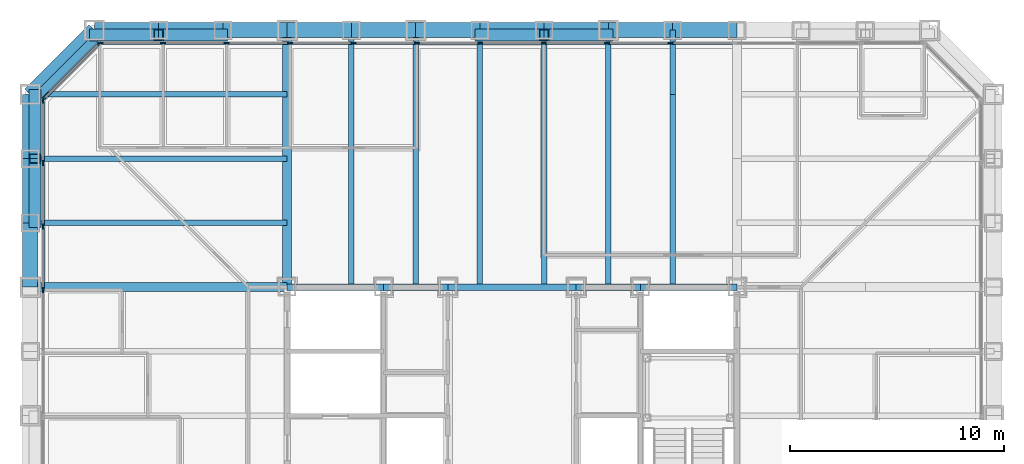
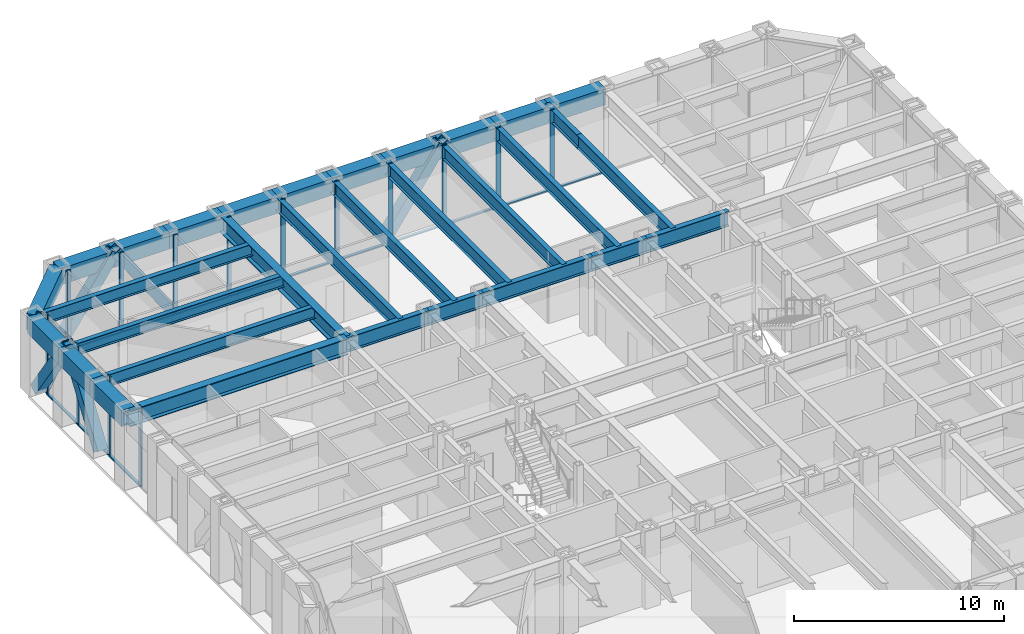
# One storey, part 5 of 17: 37 members, 31 beams, 3 elements without a shape of their own.
"""IFC4 building model written with IfcOpenShell, lengths in metres."""

from ifc_helpers import new_model, si_unit, direction, frame, origin, origin_2d, place, context, subcontext, project, spatial, rectangle, hollow_rectangle, i_section, extrude, material, layer, layer_set, material_profile, profile_set, type_object, element, aggregate, save


model = new_model("IFC4")

# Units and contexts
model_context = context("Model", 3, precision=1e-05, world=origin(), true_north=direction((0.0, 1.0)))
body_context = subcontext(model_context, "Body", "Model", "MODEL_VIEW")
ifc_project = project(units=[si_unit("LENGTHUNIT", "METRE"), si_unit("AREAUNIT", "SQUARE_METRE"), si_unit("VOLUMEUNIT", "CUBIC_METRE"), si_unit("PLANEANGLEUNIT", "RADIAN"), si_unit("MASSUNIT", "GRAM", prefix="KILO")], contexts=[model_context])

# Site, building, storey
site_placement = place(None, origin())
site = spatial("IfcSite", under=ifc_project, at=site_placement, CompositionType="ELEMENT")
building_placement = place(site_placement, origin())
building = spatial("IfcBuilding", under=site, at=building_placement, Name="Chuquiago Exchange Tower", CompositionType="ELEMENT")
storey_placement = place(building_placement, frame((0.0, 0.0, 91.800048828125)))
storey = spatial("IfcBuildingStorey", under=building, at=storey_placement, Name="L19", CompositionType="ELEMENT", Elevation=91.800048828125)

# Beams
ifc_material_1 = material(Name="Steel ASTM A992", Category="steel")
ifc_material_profile_1 = material_profile(ifc_material_1, i_section(OverallWidth=0.2919921875, OverallDepth=0.8583984375, WebThickness=0.01708984375, FlangeThickness=0.031005859375, at=origin_2d()), Name="W33X169")
ifc_profile_set_1 = profile_set([ifc_material_profile_1], Name="Steel ASTM A992")
beam_type_1 = type_object("IfcBeamType", Name="B3 W33X169", PredefinedType="BEAM", material=ifc_profile_set_1)
beam_1_placement = place(storey_placement, frame((12.0, 33.0, 3.91064453125), z_axis=(1.0, 0.0, 0.0), x_axis=(0.0, 1.0, 0.0)))
element("IfcBeam", 1, at=beam_1_placement, inside=storey, type_object=beam_type_1, Name="CB-L20-12_33-16.5_33", PredefinedType="BEAM", context=body_context, shape_type="SweptSolid", body=[
    extrude(i_section(OverallWidth=0.2919921875, OverallDepth=0.8583984375, WebThickness=0.01708984375, FlangeThickness=0.031005859375, at=origin_2d()), origin(), (0.0, 0.0, 1.0), 4.5),
])
beam_2_placement = place(storey_placement, frame((16.5, 33.0, 3.91064453125), z_axis=(1.0, 0.0, 0.0), x_axis=(0.0, 1.0, 0.0)))
element("IfcBeam", 2, at=beam_2_placement, inside=storey, type_object=beam_type_1, Name="CB-L20-16.5_33-19.5_33", PredefinedType="BEAM", context=body_context, shape_type="SweptSolid", body=[
    extrude(i_section(OverallWidth=0.2919921875, OverallDepth=0.8583984375, WebThickness=0.01708984375, FlangeThickness=0.031005859375, at=origin_2d()), origin(), (0.0, 0.0, 1.0), 3.0),
])
beam_3_placement = place(storey_placement, frame((19.5, 33.0, 3.91064453125), z_axis=(1.0, 0.0, 0.0), x_axis=(0.0, 1.0, 0.0)))
element("IfcBeam", 3, at=beam_3_placement, inside=storey, type_object=beam_type_1, Name="CB-L20-19.5_33-25.5_33", PredefinedType="BEAM", context=body_context, shape_type="SweptSolid", body=[
    extrude(i_section(OverallWidth=0.2919921875, OverallDepth=0.8583984375, WebThickness=0.01708984375, FlangeThickness=0.031005859375, at=origin_2d()), origin(), (0.0, 0.0, 1.0), 6.0),
])
beam_4_placement = place(storey_placement, frame((25.5, 33.0, 3.91064453125), z_axis=(1.0, 0.0, 0.0), x_axis=(0.0, 1.0, 0.0)))
element("IfcBeam", 4, at=beam_4_placement, inside=storey, type_object=beam_type_1, Name="CB-L20-25.5_33-28.5_33", PredefinedType="BEAM", context=body_context, shape_type="SweptSolid", body=[
    extrude(i_section(OverallWidth=0.2919921875, OverallDepth=0.8583984375, WebThickness=0.01708984375, FlangeThickness=0.031005859375, at=origin_2d()), origin(), (0.0, 0.0, 1.0), 3.0),
])
beam_5_placement = place(storey_placement, frame((28.5, 33.0, 3.91064453125), z_axis=(1.0, 0.0, 0.0), x_axis=(0.0, 1.0, 0.0)))
element("IfcBeam", 5, at=beam_5_placement, inside=storey, type_object=beam_type_1, Name="CB-L20-28.5_33-33_33", PredefinedType="BEAM", context=body_context, shape_type="SweptSolid", body=[
    extrude(i_section(OverallWidth=0.2919921875, OverallDepth=0.8583984375, WebThickness=0.01708984375, FlangeThickness=0.031005859375, at=origin_2d()), origin(), (0.0, 0.0, 1.0), 4.5),
])
ifc_material_2 = material(Name="Steel ASTM A992", Category="steel")
ifc_material_profile_2 = material_profile(ifc_material_2, i_section(OverallWidth=0.2666015625, OverallDepth=0.761962890625, WebThickness=0.014404296875, FlangeThickness=0.021484375, at=origin_2d()), Name="W30X116")
ifc_profile_set_2 = profile_set([ifc_material_profile_2], Name="Steel ASTM A992")
beam_type_2 = type_object("IfcBeamType", Name="B8 W30X116", PredefinedType="BEAM", material=ifc_profile_set_2)
for number, where, z_axis, x_axis, name in (
    (6, (15.0, 33.0, 3.958984375), (0.0, 1.0, 0.0), (-1.0, 0.0, 0.0), "FB-L20-infill-15_33-15_45-0"),
    (7, (18.0, 33.0, 3.958984375), (0.0, 1.0, 0.0), (-1.0, 0.0, 0.0), "FB-L20-infill-18_33-18_45-0"),
    (8, (21.0, 33.0, 3.958984375), (0.0, 1.0, 0.0), (-1.0, 0.0, 0.0), "FB-L20-infill-21_33-21_45-0"),
    (9, (24.0, 33.0, 3.958984375), (0.0, 1.0, 0.0), (-1.0, 0.0, 0.0), "FB-L20-infill-24_33-24_45-0"),
    (10, (27.0, 33.0, 3.958984375), (0.0, 1.0, 0.0), (-1.0, 0.0, 0.0), "FB-L20-infill-27_33-27_45-0"),
):
    element("IfcBeam", number, at=place(storey_placement, frame(where, z_axis=z_axis, x_axis=x_axis)), inside=storey, type_object=beam_type_2, Name=name, PredefinedType="BEAM", context=body_context, shape_type="SweptSolid", body=[
        extrude(i_section(OverallWidth=0.2666015625, OverallDepth=0.761962890625, WebThickness=0.014404296875, FlangeThickness=0.021484375, at=origin_2d()), origin(), (0.0, 0.0, 1.0), 12.0),
    ])
beam_6_placement = place(storey_placement, frame((30.0, 33.0, 3.958984375), z_axis=(0.0, 1.0, 0.0), x_axis=(-1.0, 0.0, 0.0)))
element("IfcBeam", 11, at=beam_6_placement, inside=storey, type_object=beam_type_2, Name="FB-L20-infill-30_33-30_45-0", PredefinedType="BEAM", context=body_context, shape_type="SweptSolid", body=[
    extrude(i_section(OverallWidth=0.2666015625, OverallDepth=0.761962890625, WebThickness=0.014404296875, FlangeThickness=0.021484375, at=origin_2d()), origin(), (0.0, 0.0, 1.0), 9.0),
])
beam_7_placement = place(storey_placement, frame((30.0, 42.0, 3.958984375), z_axis=(0.0, 1.0, 0.0), x_axis=(-1.0, 0.0, 0.0)))
element("IfcBeam", 12, at=beam_7_placement, inside=storey, type_object=beam_type_2, Name="FB-L20-infill-30_33-30_45-1", PredefinedType="BEAM", context=body_context, shape_type="SweptSolid", body=[
    extrude(i_section(OverallWidth=0.2666015625, OverallDepth=0.761962890625, WebThickness=0.014404296875, FlangeThickness=0.021484375, at=origin_2d()), origin(), (0.0, 0.0, 1.0), 3.0),
])
ifc_material_3 = material(Name="Steel ASTM A992", Category="steel")
ifc_material_profile_3 = material_profile(ifc_material_3, i_section(OverallWidth=0.256591796875, OverallDepth=0.693359375, WebThickness=0.014404296875, FlangeThickness=0.023681640625, at=origin_2d()), Name="W27X114")
ifc_profile_set_3 = profile_set([ifc_material_profile_3], Name="Steel ASTM A992")
beam_type_3 = type_object("IfcBeamType", Name="B9 W27X114", PredefinedType="BEAM", material=ifc_profile_set_3)
for number, where, z_axis, x_axis, name in (
    (13, (12.0, 36.0, 3.9931640625), (-1.0, 0.0, 0.0), (0.0, -1.0, 0.0), "FB-L20-corner-12_36--0_36-0"),
    (14, (12.0, 39.0, 3.9931640625), (-1.0, 0.0, 0.0), (0.0, -1.0, 0.0), "FB-L20-corner-12_39--0_39-0"),
    (15, (12.0, 42.0, 3.9931640625), (-1.0, 0.0, 0.0), (0.0, -1.0, 0.0), "FB-L20-corner-12_42--0_42-0"),
):
    element("IfcBeam", number, at=place(storey_placement, frame(where, z_axis=z_axis, x_axis=x_axis)), inside=storey, type_object=beam_type_3, Name=name, PredefinedType="BEAM", context=body_context, shape_type="SweptSolid", body=[
        extrude(i_section(OverallWidth=0.256591796875, OverallDepth=0.693359375, WebThickness=0.014404296875, FlangeThickness=0.023681640625, at=origin_2d()), origin(), (0.0, 0.0, 1.0), 12.0),
    ])

# Curtain wall, members
ifc_material_4 = material(Name="Aluminium curtain wall system", Category="aluminium")
ifc_layer_1 = layer(ifc_material_4, 0.25)
ifc_layer_set_1 = layer_set([ifc_layer_1], Name="CW1 trading floor curtain wall")
curtain_wall_type_1 = type_object("IfcCurtainWallType", Name="CW1 trading floor curtain wall", PredefinedType="NOTDEFINED", material=ifc_layer_set_1)
curtain_wall_1_placement = place(storey_placement, origin())
curtain_wall_1 = element("IfcCurtainWall", 16, at=curtain_wall_1_placement, inside=storey, type_object=curtain_wall_type_1, Name="CW1 curtain wall L19", PredefinedType="NOTDEFINED")
ifc_material_5 = material(Name="Aluminium mullion, pale anodised", Category="aluminium")
ifc_material_profile_4 = material_profile(ifc_material_5, rectangle(XDim=0.074951171875, YDim=0.25, at=origin_2d()), Name="AL 75x250")
ifc_profile_set_4 = profile_set([ifc_material_profile_4], Name="Aluminium mullion, pale anodised")
member_type_1 = type_object("IfcMemberType", Name="CW1-M mullion 75x250", PredefinedType="MULLION", material=ifc_profile_set_4)
member_1_placement = place(storey_placement, frame((29.904541015625, 44.39990234375, -0.300048828125), z_axis=(0.0, 0.0, 1.0), x_axis=(0.0, -1.0, 0.0)))
member_1 = element("IfcMember", 17, at=member_1_placement, type_object=member_type_1, Name="CW1 mullion 5", PredefinedType="MULLION", context=body_context, shape_type="SweptSolid", body=[
    extrude(rectangle(XDim=0.074951171875, YDim=0.25, at=origin_2d()), origin(), (0.0, 0.0, 1.0), 4.639892578125),
])
member_2_placement = place(storey_placement, frame((26.942626953125, 44.39990234375, -0.300048828125), z_axis=(0.0, 0.0, 1.0), x_axis=(0.0, -1.0, 0.0)))
member_2 = element("IfcMember", 18, at=member_2_placement, type_object=member_type_1, Name="CW1 mullion 6", PredefinedType="MULLION", context=body_context, shape_type="SweptSolid", body=[
    extrude(rectangle(XDim=0.074951171875, YDim=0.25, at=origin_2d()), origin(), (0.0, 0.0, 1.0), 4.639892578125),
])
member_3_placement = place(storey_placement, frame((23.98095703125, 44.39990234375, -0.300048828125), z_axis=(0.0, 0.0, 1.0), x_axis=(0.0, -1.0, 0.0)))
member_3 = element("IfcMember", 19, at=member_3_placement, type_object=member_type_1, Name="CW1 mullion 7", PredefinedType="MULLION", context=body_context, shape_type="SweptSolid", body=[
    extrude(rectangle(XDim=0.074951171875, YDim=0.25, at=origin_2d()), origin(), (0.0, 0.0, 1.0), 4.639892578125),
])
member_4_placement = place(storey_placement, frame((21.01904296875, 44.39990234375, -0.300048828125), z_axis=(0.0, 0.0, 1.0), x_axis=(0.0, -1.0, 0.0)))
member_4 = element("IfcMember", 20, at=member_4_placement, type_object=member_type_1, Name="CW1 mullion 8", PredefinedType="MULLION", context=body_context, shape_type="SweptSolid", body=[
    extrude(rectangle(XDim=0.074951171875, YDim=0.25, at=origin_2d()), origin(), (0.0, 0.0, 1.0), 4.639892578125),
])
member_5_placement = place(storey_placement, frame((18.057373046875, 44.39990234375, -0.300048828125), z_axis=(0.0, 0.0, 1.0), x_axis=(0.0, -1.0, 0.0)))
member_5 = element("IfcMember", 21, at=member_5_placement, type_object=member_type_1, Name="CW1 mullion 9", PredefinedType="MULLION", context=body_context, shape_type="SweptSolid", body=[
    extrude(rectangle(XDim=0.074951171875, YDim=0.25, at=origin_2d()), origin(), (0.0, 0.0, 1.0), 4.639892578125),
])
member_6_placement = place(storey_placement, frame((15.095458984375, 44.39990234375, -0.300048828125), z_axis=(0.0, 0.0, 1.0), x_axis=(0.0, -1.0, 0.0)))
member_6 = element("IfcMember", 22, at=member_6_placement, type_object=member_type_1, Name="CW1 mullion 10", PredefinedType="MULLION", context=body_context, shape_type="SweptSolid", body=[
    extrude(rectangle(XDim=0.074951171875, YDim=0.25, at=origin_2d()), origin(), (0.0, 0.0, 1.0), 4.639892578125),
])
member_7_placement = place(storey_placement, frame((12.1337890625, 44.39990234375, -0.300048828125), z_axis=(0.0, 0.0, 1.0), x_axis=(0.0, -1.0, 0.0)))
member_7 = element("IfcMember", 23, at=member_7_placement, type_object=member_type_1, Name="CW1 mullion 11", PredefinedType="MULLION", context=body_context, shape_type="SweptSolid", body=[
    extrude(rectangle(XDim=0.074951171875, YDim=0.25, at=origin_2d()), origin(), (0.0, 0.0, 1.0), 4.639892578125),
])
member_8_placement = place(storey_placement, frame((9.172119140625, 44.39990234375, -0.300048828125), z_axis=(0.0, 0.0, 1.0), x_axis=(0.0, -1.0, 0.0)))
member_8 = element("IfcMember", 24, at=member_8_placement, type_object=member_type_1, Name="CW1 mullion 12", PredefinedType="MULLION", context=body_context, shape_type="SweptSolid", body=[
    extrude(rectangle(XDim=0.074951171875, YDim=0.25, at=origin_2d()), origin(), (0.0, 0.0, 1.0), 4.639892578125),
])
member_9_placement = place(storey_placement, frame((6.210205078125, 44.39990234375, -0.300048828125), z_axis=(0.0, 0.0, 1.0), x_axis=(0.0, -1.0, 0.0)))
member_9 = element("IfcMember", 25, at=member_9_placement, type_object=member_type_1, Name="CW1 mullion 13", PredefinedType="MULLION", context=body_context, shape_type="SweptSolid", body=[
    extrude(rectangle(XDim=0.074951171875, YDim=0.25, at=origin_2d()), origin(), (0.0, 0.0, 1.0), 4.639892578125),
])
member_10_placement = place(storey_placement, frame((3.285888671875, 44.39990234375, -0.300048828125), z_axis=(0.0, 0.0, 1.0), x_axis=(0.0, -1.0, 0.0)))
member_10 = element("IfcMember", 26, at=member_10_placement, type_object=member_type_1, Name="CW1 mullion 14", PredefinedType="MULLION", context=body_context, shape_type="SweptSolid", body=[
    extrude(rectangle(XDim=0.074951171875, YDim=0.25, at=origin_2d()), origin(), (0.0, 0.0, 1.0), 4.639892578125),
])

curtain_wall_2_placement = place(storey_placement, origin())
curtain_wall_2 = element("IfcCurtainWall", 27, at=curtain_wall_2_placement, inside=storey, type_object=curtain_wall_type_1, Name="CW1 curtain wall L19", PredefinedType="NOTDEFINED")
member_11_placement = place(storey_placement, frame((0.60009765625, 41.714111328125, -0.300048828125), z_axis=(0.0, 0.0, 1.0), x_axis=(1.0, 0.0, 0.0)))
member_11 = element("IfcMember", 28, at=member_11_placement, type_object=member_type_1, Name="CW1 mullion 1", PredefinedType="MULLION", context=body_context, shape_type="SweptSolid", body=[
    extrude(rectangle(XDim=0.074951171875, YDim=0.25, at=origin_2d()), origin(), (0.0, 0.0, 1.0), 4.639892578125),
])
member_12_placement = place(storey_placement, frame((0.60009765625, 38.789794921875, -0.300048828125), z_axis=(0.0, 0.0, 1.0), x_axis=(1.0, 0.0, 0.0)))
member_12 = element("IfcMember", 29, at=member_12_placement, type_object=member_type_1, Name="CW1 mullion 2", PredefinedType="MULLION", context=body_context, shape_type="SweptSolid", body=[
    extrude(rectangle(XDim=0.074951171875, YDim=0.25, at=origin_2d()), origin(), (0.0, 0.0, 1.0), 4.639892578125),
])
member_13_placement = place(storey_placement, frame((0.60009765625, 35.827880859375, -0.300048828125), z_axis=(0.0, 0.0, 1.0), x_axis=(1.0, 0.0, 0.0)))
member_13 = element("IfcMember", 30, at=member_13_placement, type_object=member_type_1, Name="CW1 mullion 3", PredefinedType="MULLION", context=body_context, shape_type="SweptSolid", body=[
    extrude(rectangle(XDim=0.074951171875, YDim=0.25, at=origin_2d()), origin(), (0.0, 0.0, 1.0), 4.639892578125),
])
member_14_placement = place(storey_placement, frame((0.60009765625, 32.8662109375, -0.300048828125), z_axis=(0.0, 0.0, 1.0), x_axis=(1.0, 0.0, 0.0)))
member_14 = element("IfcMember", 31, at=member_14_placement, type_object=member_type_1, Name="CW1 mullion 4", PredefinedType="MULLION", context=body_context, shape_type="SweptSolid", body=[
    extrude(rectangle(XDim=0.074951171875, YDim=0.25, at=origin_2d()), origin(), (0.0, 0.0, 1.0), 4.639892578125),
])

# Member
ifc_material_6 = material(Name="Aluminium transom, pale anodised", Category="aluminium")
ifc_material_profile_5 = material_profile(ifc_material_6, rectangle(XDim=0.14990234375, YDim=0.074951171875, at=origin_2d()), Name="AL 150x75")
ifc_profile_set_5 = profile_set([ifc_material_profile_5], Name="Aluminium transom, pale anodised")
member_type_2 = type_object("IfcMemberType", Name="CW1-T transom 75x150", PredefinedType="MULLION", material=ifc_profile_set_5)
member_15_placement = place(storey_placement, frame((32.82861328125, 44.39990234375, -0.262451171875), z_axis=(-1.0, 0.0, 0.0), x_axis=(0.0, -1.0, 0.0)))
member_15 = element("IfcMember", 32, at=member_15_placement, type_object=member_type_2, Name="CW1 transom 4.1", PredefinedType="MULLION", context=body_context, shape_type="SweptSolid", body=[
    extrude(rectangle(XDim=0.14990234375, YDim=0.074951171875, at=origin_2d()), origin(), (0.0, 0.0, 1.0), 2.88671875),
])

member_16_placement = place(storey_placement, frame((29.866943359375, 44.39990234375, -0.262451171875), z_axis=(-1.0, 0.0, 0.0), x_axis=(0.0, -1.0, 0.0)))
member_16 = element("IfcMember", 33, at=member_16_placement, type_object=member_type_2, Name="CW1 transom 5.1", PredefinedType="MULLION", context=body_context, shape_type="SweptSolid", body=[
    extrude(rectangle(XDim=0.14990234375, YDim=0.074951171875, at=origin_2d()), origin(), (0.0, 0.0, 1.0), 2.88671875),
])

member_17_placement = place(storey_placement, frame((26.9052734375, 44.39990234375, -0.262451171875), z_axis=(-1.0, 0.0, 0.0), x_axis=(0.0, -1.0, 0.0)))
member_17 = element("IfcMember", 34, at=member_17_placement, type_object=member_type_2, Name="CW1 transom 6.1", PredefinedType="MULLION", context=body_context, shape_type="SweptSolid", body=[
    extrude(rectangle(XDim=0.14990234375, YDim=0.074951171875, at=origin_2d()), origin(), (0.0, 0.0, 1.0), 2.886962890625),
])

member_18_placement = place(storey_placement, frame((23.943359375, 44.39990234375, -0.262451171875), z_axis=(-1.0, 0.0, 0.0), x_axis=(0.0, -1.0, 0.0)))
member_18 = element("IfcMember", 35, at=member_18_placement, type_object=member_type_2, Name="CW1 transom 7.1", PredefinedType="MULLION", context=body_context, shape_type="SweptSolid", body=[
    extrude(rectangle(XDim=0.14990234375, YDim=0.074951171875, at=origin_2d()), origin(), (0.0, 0.0, 1.0), 2.88671875),
])

member_19_placement = place(storey_placement, frame((20.981689453125, 44.39990234375, -0.262451171875), z_axis=(-1.0, 0.0, 0.0), x_axis=(0.0, -1.0, 0.0)))
member_19 = element("IfcMember", 36, at=member_19_placement, type_object=member_type_2, Name="CW1 transom 8.1", PredefinedType="MULLION", context=body_context, shape_type="SweptSolid", body=[
    extrude(rectangle(XDim=0.14990234375, YDim=0.074951171875, at=origin_2d()), origin(), (0.0, 0.0, 1.0), 2.886962890625),
])

member_20_placement = place(storey_placement, frame((18.019775390625, 44.39990234375, -0.262451171875), z_axis=(-1.0, 0.0, 0.0), x_axis=(0.0, -1.0, 0.0)))
member_20 = element("IfcMember", 37, at=member_20_placement, type_object=member_type_2, Name="CW1 transom 9.1", PredefinedType="MULLION", context=body_context, shape_type="SweptSolid", body=[
    extrude(rectangle(XDim=0.14990234375, YDim=0.074951171875, at=origin_2d()), origin(), (0.0, 0.0, 1.0), 2.88671875),
])

member_21_placement = place(storey_placement, frame((15.05810546875, 44.39990234375, -0.262451171875), z_axis=(-1.0, 0.0, 0.0), x_axis=(0.0, -1.0, 0.0)))
member_21 = element("IfcMember", 38, at=member_21_placement, type_object=member_type_2, Name="CW1 transom 10.1", PredefinedType="MULLION", context=body_context, shape_type="SweptSolid", body=[
    extrude(rectangle(XDim=0.14990234375, YDim=0.074951171875, at=origin_2d()), origin(), (0.0, 0.0, 1.0), 2.88671875),
])

member_22_placement = place(storey_placement, frame((12.09619140625, 44.39990234375, -0.262451171875), z_axis=(-1.0, 0.0, 0.0), x_axis=(0.0, -1.0, 0.0)))
member_22 = element("IfcMember", 39, at=member_22_placement, type_object=member_type_2, Name="CW1 transom 11.1", PredefinedType="MULLION", context=body_context, shape_type="SweptSolid", body=[
    extrude(rectangle(XDim=0.14990234375, YDim=0.074951171875, at=origin_2d()), origin(), (0.0, 0.0, 1.0), 2.88671875),
])

member_23_placement = place(storey_placement, frame((9.134521484375, 44.39990234375, -0.262451171875), z_axis=(-1.0, 0.0, 0.0), x_axis=(0.0, -1.0, 0.0)))
member_23 = element("IfcMember", 40, at=member_23_placement, type_object=member_type_2, Name="CW1 transom 12.1", PredefinedType="MULLION", context=body_context, shape_type="SweptSolid", body=[
    extrude(rectangle(XDim=0.14990234375, YDim=0.074951171875, at=origin_2d()), origin(), (0.0, 0.0, 1.0), 2.88671875),
])

member_24_placement = place(storey_placement, frame((6.1728515625, 44.39990234375, -0.262451171875), z_axis=(-1.0, 0.0, 0.0), x_axis=(0.0, -1.0, 0.0)))
member_24 = element("IfcMember", 41, at=member_24_placement, type_object=member_type_2, Name="CW1 transom 13.1", PredefinedType="MULLION", context=body_context, shape_type="SweptSolid", body=[
    extrude(rectangle(XDim=0.14990234375, YDim=0.074951171875, at=origin_2d()), origin(), (0.0, 0.0, 1.0), 2.849365234375),
])

aggregate(curtain_wall_1, [member_1, member_2, member_3, member_4, member_5, member_6, member_7, member_8, member_9, member_10, member_15, member_16, member_17, member_18, member_19, member_20, member_21, member_22, member_23, member_24])

member_25_placement = place(storey_placement, frame((0.60009765625, 41.676513671875, -0.262451171875), z_axis=(0.0, -1.0, 0.0), x_axis=(1.0, 0.0, 0.0)))
member_25 = element("IfcMember", 42, at=member_25_placement, type_object=member_type_2, Name="CW1 transom 1.1", PredefinedType="MULLION", context=body_context, shape_type="SweptSolid", body=[
    extrude(rectangle(XDim=0.14990234375, YDim=0.074951171875, at=origin_2d()), origin(), (0.0, 0.0, 1.0), 2.849365234375),
])

member_26_placement = place(storey_placement, frame((0.60009765625, 38.752197265625, -0.262451171875), z_axis=(0.0, -1.0, 0.0), x_axis=(1.0, 0.0, 0.0)))
member_26 = element("IfcMember", 43, at=member_26_placement, type_object=member_type_2, Name="CW1 transom 2.1", PredefinedType="MULLION", context=body_context, shape_type="SweptSolid", body=[
    extrude(rectangle(XDim=0.14990234375, YDim=0.074951171875, at=origin_2d()), origin(), (0.0, 0.0, 1.0), 2.88671875),
])

member_27_placement = place(storey_placement, frame((0.60009765625, 35.79052734375, -0.262451171875), z_axis=(0.0, -1.0, 0.0), x_axis=(1.0, 0.0, 0.0)))
member_27 = element("IfcMember", 44, at=member_27_placement, type_object=member_type_2, Name="CW1 transom 3.1", PredefinedType="MULLION", context=body_context, shape_type="SweptSolid", body=[
    extrude(rectangle(XDim=0.14990234375, YDim=0.074951171875, at=origin_2d()), origin(), (0.0, 0.0, 1.0), 2.88671875),
])

aggregate(curtain_wall_2, [member_11, member_12, member_13, member_14, member_25, member_26, member_27])

# Curtain wall, members
ifc_material_7 = material(Name="Aluminium curtain wall system", Category="aluminium")
ifc_layer_2 = layer(ifc_material_7, 0.199951171875)
ifc_layer_set_2 = layer_set([ifc_layer_2], Name="CW3 facet curtain wall")
curtain_wall_type_2 = type_object("IfcCurtainWallType", Name="CW3 facet curtain wall", PredefinedType="NOTDEFINED", material=ifc_layer_set_2)
curtain_wall_3_placement = place(storey_placement, origin())
curtain_wall_3 = element("IfcCurtainWall", 45, at=curtain_wall_3_placement, inside=storey, type_object=curtain_wall_type_2, Name="CW3 curtain wall L19", PredefinedType="NOTDEFINED")
ifc_material_8 = material(Name="Aluminium mullion, pale anodised", Category="aluminium")
ifc_material_profile_6 = material_profile(ifc_material_8, rectangle(XDim=0.06494140625, YDim=0.199951171875, at=origin_2d()), Name="AL 65x200")
ifc_profile_set_6 = profile_set([ifc_material_profile_6], Name="Aluminium mullion, pale anodised")
member_type_3 = type_object("IfcMemberType", Name="CW3-M mullion 65x200", PredefinedType="MULLION", material=ifc_profile_set_6)
member_28_placement = place(storey_placement, frame((3.2255859375, 44.376953125, -0.300048828125), z_axis=(0.0, 0.0, 1.0), x_axis=(0.707106781187, -0.707106781187, 0.0)))
member_28 = element("IfcMember", 46, at=member_28_placement, type_object=member_type_3, Name="CW3 mullion 1", PredefinedType="MULLION", context=body_context, shape_type="SweptSolid", body=[
    extrude(rectangle(XDim=0.06494140625, YDim=0.199951171875, at=origin_2d()), origin(), (0.0, 0.0, 1.0), 4.639892578125),
])
member_29_placement = place(storey_placement, frame((0.623046875, 41.7744140625, -0.300048828125), z_axis=(0.0, 0.0, 1.0), x_axis=(0.707106781187, -0.707106781187, 0.0)))
member_29 = element("IfcMember", 47, at=member_29_placement, type_object=member_type_3, Name="CW3 mullion 2", PredefinedType="MULLION", context=body_context, shape_type="SweptSolid", body=[
    extrude(rectangle(XDim=0.06494140625, YDim=0.199951171875, at=origin_2d()), origin(), (0.0, 0.0, 1.0), 4.639892578125),
])
ifc_material_9 = material(Name="Aluminium transom, pale anodised", Category="aluminium")
ifc_material_profile_7 = material_profile(ifc_material_9, rectangle(XDim=0.139892578125, YDim=0.06494140625, at=origin_2d()), Name="AL 140x65")
ifc_profile_set_7 = profile_set([ifc_material_profile_7], Name="Aluminium transom, pale anodised")
member_type_4 = type_object("IfcMemberType", Name="CW3-T transom 65x140", PredefinedType="MULLION", material=ifc_profile_set_7)
member_30_placement = place(storey_placement, frame((3.20263671875, 44.35400390625, -0.267578125), z_axis=(-0.707106781187, -0.707106781187, 0.0), x_axis=(0.707106781187, -0.707106781187, 0.0)))
member_30 = element("IfcMember", 48, at=member_30_placement, type_object=member_type_4, Name="CW3 transom 1.1", PredefinedType="MULLION", context=body_context, shape_type="SweptSolid", body=[
    extrude(rectangle(XDim=0.139892578125, YDim=0.06494140625, at=origin_2d()), origin(), (0.0, 0.0, 1.0), 3.61572265625),
])
aggregate(curtain_wall_3, [member_28, member_29, member_30])

# Beams
ifc_material_10 = material(Name="Steel ASTM A992", Category="steel")
ifc_material_profile_8 = material_profile(ifc_material_10, i_section(OverallWidth=0.424072265625, OverallDepth=0.947509765625, WebThickness=0.02392578125, FlangeThickness=0.042724609375, at=origin_2d()), Name="W36X302")
ifc_profile_set_8 = profile_set([ifc_material_profile_8], Name="Steel ASTM A992")
beam_type_4 = type_object("IfcBeamType", Name="G4 W36X302", PredefinedType="BEAM", material=ifc_profile_set_8)
for number, where, z_axis, x_axis, name in (
    (49, (12.0, 33.0, 3.8662109375), (0.0, 1.0, 0.0), (-1.0, 0.0, 0.0), "FB-L20-girder-12_33-12_45-0"),
    (50, (12.0, 33.0, 3.8662109375), (-1.0, 0.0, 0.0), (0.0, -1.0, 0.0), "FB-L20-girder-12_33--0_33-0"),
):
    element("IfcBeam", number, at=place(storey_placement, frame(where, z_axis=z_axis, x_axis=x_axis)), inside=storey, type_object=beam_type_4, Name=name, PredefinedType="BEAM", context=body_context, shape_type="SweptSolid", body=[
        extrude(i_section(OverallWidth=0.424072265625, OverallDepth=0.947509765625, WebThickness=0.02392578125, FlangeThickness=0.042724609375, at=origin_2d()), origin(), (0.0, 0.0, 1.0), 12.0),
    ])

# Members
ifc_material_11 = material(Name="Steel ASTM A500 Grade C", Category="steel")
ifc_material_profile_9 = material_profile(ifc_material_11, hollow_rectangle(XDim=0.406494140625, YDim=0.406494140625, WallThickness=0.0146484375, at=origin_2d()), Name="HSS16X16X5/8")
ifc_profile_set_9 = profile_set([ifc_material_profile_9], Name="Steel ASTM A500 Grade C")
member_type_5 = type_object("IfcMemberType", Name="LB4 HSS16X16X5/8", PredefinedType="BRACE", material=ifc_profile_set_9)
member_31_placement = place(storey_placement, frame((3.21337890625, 44.78662109375, 0.0), z_axis=(-0.494305423695, -0.494305423695, 0.715069434538), x_axis=(0.707106781187, -0.707106781187, 0.0)))
element("IfcMember", 51, at=member_31_placement, inside=storey, type_object=member_type_5, Name="LB-L19-3_45-0_42", PredefinedType="BRACE", context=body_context, shape_type="SweptSolid", body=[
    extrude(hollow_rectangle(XDim=0.406494140625, YDim=0.406494140625, WallThickness=0.0146484375, at=origin_2d()), origin(), (0.0, 0.0, 1.0), 6.069091796875),
])
ifc_material_12 = material(Name="Steel ASTM A572 Grade 50", Category="steel")
ifc_material_profile_10 = material_profile(ifc_material_12, hollow_rectangle(XDim=0.550048828125, YDim=0.550048828125, WallThickness=0.044921875, at=origin_2d()), Name="BOX550X550X45")
ifc_profile_set_10 = profile_set([ifc_material_profile_10], Name="Steel ASTM A572 Grade 50")
member_type_6 = type_object("IfcMemberType", Name="MB1 BOX550X550X45", PredefinedType="BRACE", material=ifc_profile_set_10)
for number, where, z_axis, x_axis, name in (
    (52, (27.0, 44.77001953125, 0.0), (-0.56863232121, 0.0, 0.822591808417), (0.0, -1.0, 0.0), "Mega diagonal L19 N face"),
    (53, (21.0, 44.77001953125, 0.0), (0.56863232121, 0.0, 0.822591808417), (0.0, 1.0, 0.0), "Mega diagonal L19 N face"),
    (54, (9.0, 44.77001953125, 0.0), (-0.56863232121, 0.0, 0.822591808417), (0.0, -1.0, 0.0), "Mega diagonal L19 N face"),
    (55, (3.0, 44.77001953125, 0.0), (0.56863232121, 0.0, 0.822591808417), (0.0, 1.0, 0.0), "Mega diagonal L19 N face"),
    (56, (0.22998046875, 42.0, 0.0), (0.0, -0.56863232121, 0.822591808417), (1.0, 0.0, 0.0), "Mega diagonal L19 W face"),
    (57, (0.22998046875, 36.0, 0.0), (0.0, 0.56863232121, 0.822591808417), (-1.0, 0.0, 0.0), "Mega diagonal L19 W face"),
):
    element("IfcMember", number, at=place(storey_placement, frame(where, z_axis=z_axis, x_axis=x_axis)), inside=storey, type_object=member_type_6, Name=name, PredefinedType="BRACE", context=body_context, shape_type="SweptSolid", body=[
        extrude(hollow_rectangle(XDim=0.550048828125, YDim=0.550048828125, WallThickness=0.044921875, at=origin_2d()), origin(), (0.0, 0.0, 1.0), 5.27587890625),
    ])

# Beams
ifc_material_13 = material(Name="Steel ASTM A572 Grade 50", Category="steel")
ifc_material_profile_11 = material_profile(ifc_material_13, hollow_rectangle(XDim=0.699951171875, YDim=0.949951171875, WallThickness=0.10009765625, at=origin_2d()), Name="BOX950X700X100")
ifc_profile_set_11 = profile_set([ifc_material_profile_11], Name="Steel ASTM A572 Grade 50")
beam_type_5 = type_object("IfcBeamType", Name="SP5 BOX950X700X100", PredefinedType="SPANDREL", material=ifc_profile_set_11)
for number, where, z_axis, x_axis, name in (
    (58, (33.0, 45.0, 3.864990234375), (-1.0, 0.0, 0.0), (0.0, -1.0, 0.0), "SPB-L20-33_45-30_45"),
    (59, (30.0, 45.0, 3.864990234375), (-1.0, 0.0, 0.0), (0.0, -1.0, 0.0), "SPB-L20-30_45-27_45"),
    (60, (27.0, 45.0, 3.864990234375), (-1.0, 0.0, 0.0), (0.0, -1.0, 0.0), "SPB-L20-27_45-24_45"),
    (61, (24.0, 45.0, 3.864990234375), (-1.0, 0.0, 0.0), (0.0, -1.0, 0.0), "SPB-L20-24_45-21_45"),
    (62, (21.0, 45.0, 3.864990234375), (-1.0, 0.0, 0.0), (0.0, -1.0, 0.0), "SPB-L20-21_45-18_45"),
    (63, (18.0, 45.0, 3.864990234375), (-1.0, 0.0, 0.0), (0.0, -1.0, 0.0), "SPB-L20-18_45-15_45"),
    (64, (15.0, 45.0, 3.864990234375), (-1.0, 0.0, 0.0), (0.0, -1.0, 0.0), "SPB-L20-15_45-12_45"),
    (65, (12.0, 45.0, 3.864990234375), (-1.0, 0.0, 0.0), (0.0, -1.0, 0.0), "SPB-L20-12_45-9_45"),
    (66, (9.0, 45.0, 3.864990234375), (-1.0, 0.0, 0.0), (0.0, -1.0, 0.0), "SPB-L20-9_45-6_45"),
    (67, (6.0, 45.0, 3.864990234375), (-1.0, 0.0, 0.0), (0.0, -1.0, 0.0), "SPB-L20-6_45-3_45"),
):
    element("IfcBeam", number, at=place(storey_placement, frame(where, z_axis=z_axis, x_axis=x_axis)), inside=storey, type_object=beam_type_5, Name=name, PredefinedType="SPANDREL", context=body_context, shape_type="SweptSolid", body=[
        extrude(hollow_rectangle(XDim=0.699951171875, YDim=0.949951171875, WallThickness=0.10009765625, at=origin_2d()), origin(), (0.0, 0.0, 1.0), 3.0),
    ])
beam_8_placement = place(storey_placement, frame((3.0, 45.0, 3.864990234375), z_axis=(-0.707106781187, -0.707106781187, 0.0), x_axis=(0.707106781187, -0.707106781187, 0.0)))
element("IfcBeam", 68, at=beam_8_placement, inside=storey, type_object=beam_type_5, Name="SPB-L20-3_45-0_42", PredefinedType="SPANDREL", context=body_context, shape_type="SweptSolid", body=[
    extrude(hollow_rectangle(XDim=0.699951171875, YDim=0.949951171875, WallThickness=0.10009765625, at=origin_2d()), origin(), (0.0, 0.0, 1.0), 4.24267578125),
])
for number, where, z_axis, x_axis, name in (
    (69, (0.0, 42.0, 3.864990234375), (0.0, -1.0, 0.0), (1.0, 0.0, 0.0), "SPB-L20-0_42-0_39"),
    (70, (0.0, 39.0, 3.864990234375), (0.0, -1.0, 0.0), (1.0, 0.0, 0.0), "SPB-L20-0_39-0_36"),
    (71, (0.0, 36.0, 3.864990234375), (0.0, -1.0, 0.0), (1.0, 0.0, 0.0), "SPB-L20-0_36-0_33"),
):
    element("IfcBeam", number, at=place(storey_placement, frame(where, z_axis=z_axis, x_axis=x_axis)), inside=storey, type_object=beam_type_5, Name=name, PredefinedType="SPANDREL", context=body_context, shape_type="SweptSolid", body=[
        extrude(hollow_rectangle(XDim=0.699951171875, YDim=0.949951171875, WallThickness=0.10009765625, at=origin_2d()), origin(), (0.0, 0.0, 1.0), 3.0),
    ])

save(model, "model.ifc")
